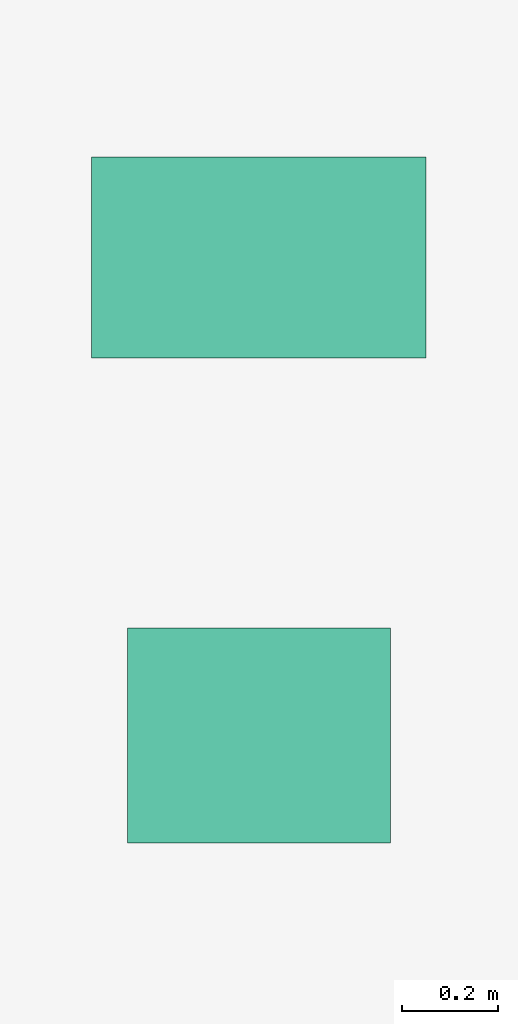
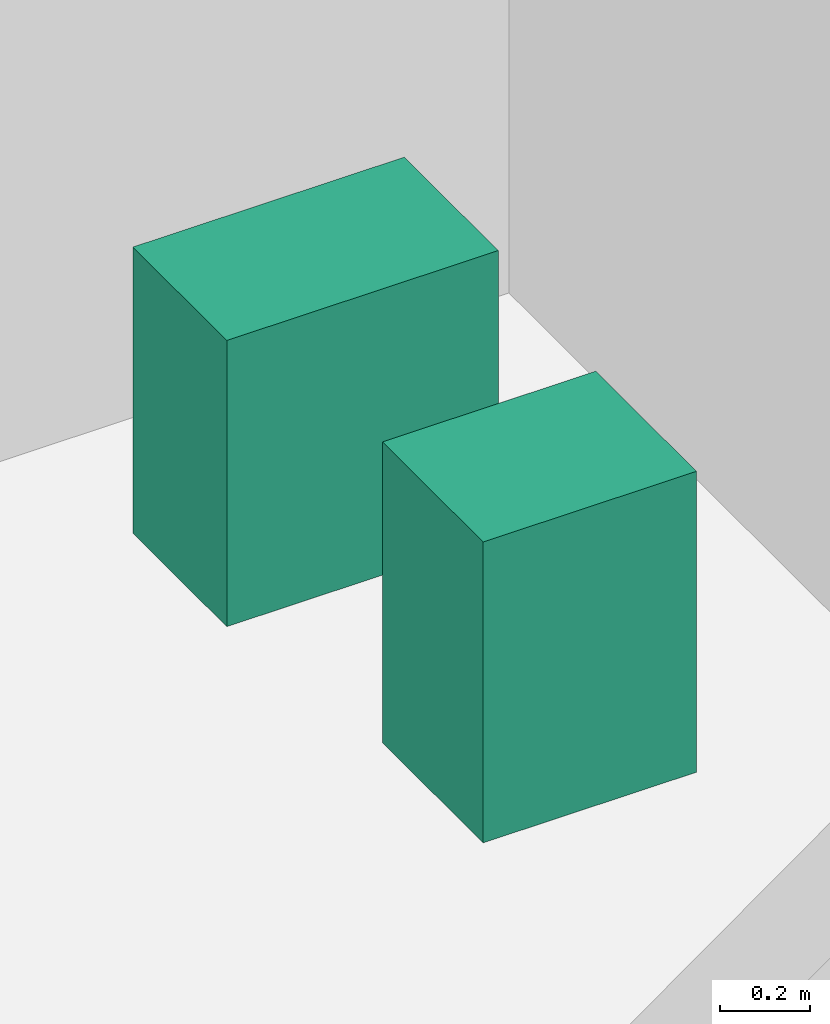
# One storey, part 17 of 17: 2 sanitary terminals.
"""IFC4 building model written with IfcOpenShell, lengths in metres."""

from ifc_helpers import new_model, si_unit, direction, frame, origin, origin_2d, place, context, subcontext, project, spatial, rectangle, extrude, source, transform, mapped, material, type_object, element, save


model = new_model("IFC4")

# Units and contexts
model_context = context("Model", 3, precision=1e-05, world=origin(), true_north=direction((0.0, 1.0)))
body_context = subcontext(model_context, "Body", "Model", "MODEL_VIEW")
ifc_project = project(units=[si_unit("LENGTHUNIT", "METRE"), si_unit("AREAUNIT", "SQUARE_METRE"), si_unit("VOLUMEUNIT", "CUBIC_METRE"), si_unit("PLANEANGLEUNIT", "RADIAN"), si_unit("MASSUNIT", "GRAM", prefix="KILO")], contexts=[model_context])

# Site, building, storey
site_placement = place(None, origin())
site = spatial("IfcSite", under=ifc_project, at=site_placement, CompositionType="ELEMENT")
building_placement = place(site_placement, origin())
building = spatial("IfcBuilding", under=site, at=building_placement, Name="Sumidabori Civic Tower", CompositionType="ELEMENT")
storey_placement = place(building_placement, frame((0.0, 0.0, 9.64990234375)))
storey = spatial("IfcBuildingStorey", under=building, at=storey_placement, Name="L02", CompositionType="ELEMENT", Elevation=9.64990234375)

# Sanitary terminals
ifc_material = material(Name="Vitreous Sanitary Porcelain")
sanitary_terminal_type_1 = type_object("IfcSanitaryTerminalType", Name="SN-WC-1", PredefinedType="TOILETPAN", material=ifc_material)
shared_shape_1 = source(origin(), body_context, "Body", "SweptSolid", [
    extrude(rectangle(XDim=0.699951171875, YDim=0.419921875, at=origin_2d()), origin(), (0.0, 0.0, 1.0), 0.780029296875),
])
sanitary_terminal_1_placement = place(storey_placement, frame((10.800048828125, 21.85009765625, 0.0), z_axis=(0.0, 0.0, 1.0), x_axis=(1.0, 0.0, 0.0)))
element("IfcSanitaryTerminal", 1, at=sanitary_terminal_1_placement, inside=storey, type_object=sanitary_terminal_type_1, Name="Accessible WC Pan L02", PredefinedType="TOILETPAN", context=body_context, shape_type="MappedRepresentation", body=[
    mapped(shared_shape_1, transform((0.0, 0.0, 0.0), x_axis=(1.0, 0.0, 0.0), y_axis=(0.0, 1.0, 0.0), z_axis=(0.0, 0.0, 1.0), scale=1.0)),
])
sanitary_terminal_type_2 = type_object("IfcSanitaryTerminalType", Name="SN-BAS-1", PredefinedType="WASHHANDBASIN", material=ifc_material)
shared_shape_2 = source(origin(), body_context, "Body", "SweptSolid", [
    extrude(rectangle(XDim=0.550048828125, YDim=0.449951171875, at=origin_2d()), origin(), (0.0, 0.0, 1.0), 0.820068359375),
])
sanitary_terminal_2_placement = place(storey_placement, frame((10.800048828125, 20.85009765625, 0.0), z_axis=(0.0, 0.0, 1.0), x_axis=(1.0, 0.0, 0.0)))
element("IfcSanitaryTerminal", 2, at=sanitary_terminal_2_placement, inside=storey, type_object=sanitary_terminal_type_2, Name="Accessible Basin L02", PredefinedType="WASHHANDBASIN", context=body_context, shape_type="MappedRepresentation", body=[
    mapped(shared_shape_2, transform((0.0, 0.0, 0.0), x_axis=(1.0, 0.0, 0.0), y_axis=(0.0, 1.0, 0.0), z_axis=(0.0, 0.0, 1.0), scale=1.0)),
])

save(model, "model.ifc")
